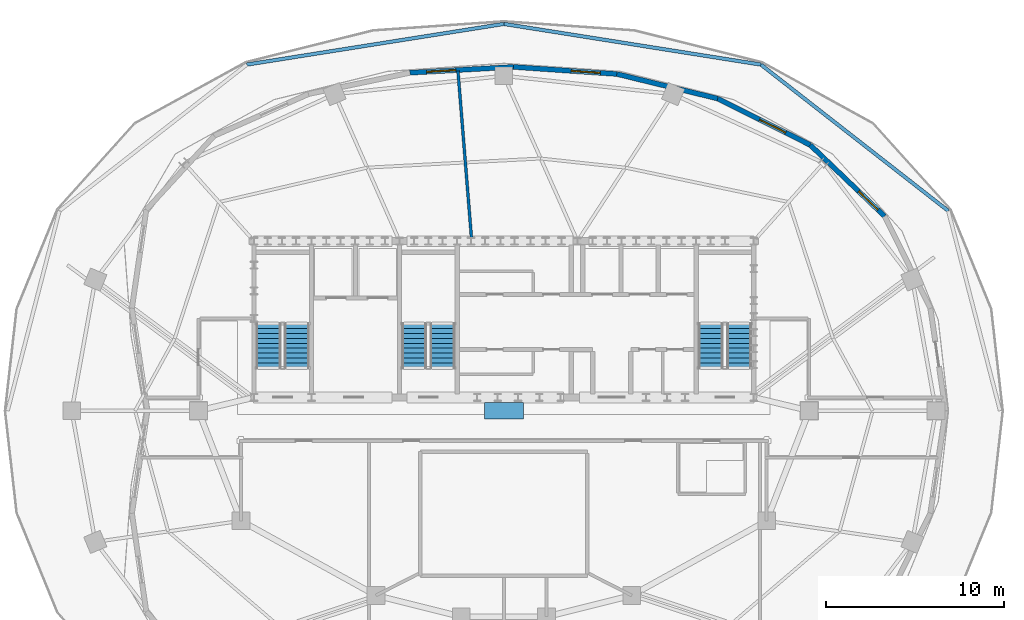
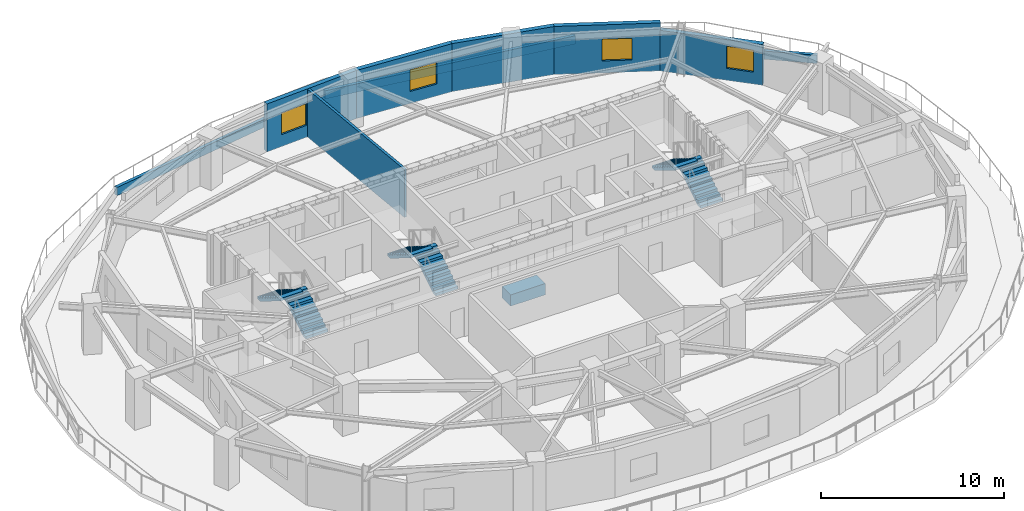
# One storey, part 6 of 10: 9 walls, 6 stair flights, 4 windows, 1 discrete accessory, 4 openings, 3 elements without a shape of their own.
"""IFC4 building model written with IfcOpenShell, lengths in metres."""

from ifc_helpers import new_model, si_unit, direction, frame, frame_2d, origin, origin_2d, place, context, subcontext, project, spatial, polyline, rectangle, outline, extrude, material, layer, layer_set, type_object, element, fill, aggregate, save


model = new_model("IFC4")

# Units and contexts
model_context = context("Model", 3, precision=1e-05, world=origin(), true_north=direction((0.0, 1.0)))
body_context = subcontext(model_context, "Body", "Model", "MODEL_VIEW")
ifc_project = project(units=[si_unit("LENGTHUNIT", "METRE"), si_unit("AREAUNIT", "SQUARE_METRE"), si_unit("VOLUMEUNIT", "CUBIC_METRE"), si_unit("PLANEANGLEUNIT", "RADIAN"), si_unit("MASSUNIT", "GRAM", prefix="KILO")], contexts=[model_context])

# Site, building, storey
site_placement = place(None, origin())
site = spatial("IfcSite", under=ifc_project, at=site_placement, CompositionType="ELEMENT")
building_placement = place(site_placement, origin())
building = spatial("IfcBuilding", under=site, at=building_placement, Name="Haldorwick Loom Tower", CompositionType="ELEMENT")
storey_placement = place(building_placement, frame((0.0, 0.0, 240.89990234375)))
storey = spatial("IfcBuildingStorey", under=building, at=storey_placement, Name="L65", CompositionType="ELEMENT", Elevation=240.89990234375)

# Wall, opening, window
ifc_material_1 = material(Name="Pressed Clay Face Brick and Insulated Masonry Backup Assembly", Category="masonry")
ifc_layer_1 = layer(ifc_material_1, 0.280029296875, Name="Pressed Clay Face Brick and Insulated Masonry Backup Assembly", Category="masonry")
ifc_layer_set_1 = layer_set([ifc_layer_1], Name="Pressed Clay Face Brick and Insulated Masonry Backup Assembly")
wall_type_1 = type_object("IfcWallType", Name="ARC-WL-EXT280", PredefinedType="STANDARD", material=ifc_layer_set_1)
wall_1_placement = place(storey_placement, frame((57.44287109375, 36.956787109375, 0.0), z_axis=(0.0, 0.0, 1.0), x_axis=(-0.722248481003, 0.691633668707, 0.0)))
wall_1 = element("IfcWall", 1, at=wall_1_placement, inside=storey, type_object=wall_type_1, Name="L65 Brick Pier and Spandrel Wall 3", PredefinedType="STANDARD", context=body_context, shape_type="SweptSolid", body=[
    extrude(rectangle(XDim=5.797607421875, YDim=0.280029296875, at=frame_2d((2.89892578125, 0.0))), origin(), (0.0, 0.0, 1.0), 2.718994140625),
])
opening_1_placement = place(wall_1_placement, frame((0.52099609375, 0.0, 0.800048828125)))
opening_1 = element("IfcOpeningElement", 2, at=opening_1_placement, cuts=wall_1, Name="Opening W-02", PredefinedType="OPENING", context=body_context, shape_type="SweptSolid", body=[
    extrude(rectangle(XDim=1.5, YDim=1.47998046875, at=frame_2d((0.75, 0.739990234375))), frame((0.0, 0.14990234375, 0.0), z_axis=(0.0, -1.0, 0.0), x_axis=(1.0, 0.0, 0.0)), (0.0, 0.0, 1.0), 0.300048828125),
])
ifc_material_2 = material(Name="Triple-Glazed Low-E Argon Insulated Glazing Unit", Category="glass")
window_type_1 = type_object("IfcWindowType", Name="ARC-WIN-W150", PartitioningType="SINGLE_PANEL", PredefinedType="WINDOW", material=ifc_material_2)
window_1_placement = place(opening_1_placement, origin())
window_1 = element("IfcWindow", 3, at=window_1_placement, inside=storey, type_object=window_type_1, Name="L65 Deep-Set Zone 7A Window 3", OverallHeight=1.47998046875, OverallWidth=1.5, PartitioningType="SINGLE_PANEL", PredefinedType="WINDOW", context=body_context, shape_type="SweptSolid", body=[
    extrude(rectangle(XDim=1.5, YDim=1.47998046875, at=frame_2d((0.75, 0.739990234375))), frame((0.0, 0.030029296875, 0.0), z_axis=(0.0, -1.0, 0.0), x_axis=(1.0, 0.0, 0.0)), (0.0, 0.0, 1.0), 0.06005859375),
])
fill(opening_1, window_1)

wall_2_placement = place(storey_placement, frame((53.255615234375, 40.966552734375, 0.0), z_axis=(0.0, 0.0, 1.0), x_axis=(-0.89383996776, 0.44838611936, 0.0)))
wall_2 = element("IfcWall", 4, at=wall_2_placement, inside=storey, type_object=wall_type_1, Name="L65 Brick Pier and Spandrel Wall 4", PredefinedType="STANDARD", context=body_context, shape_type="SweptSolid", body=[
    extrude(rectangle(XDim=5.828125, YDim=0.280029296875, at=frame_2d((2.9140625, 0.0))), origin(), (0.0, 0.0, 1.0), 3.210205078125),
])
opening_2_placement = place(wall_2_placement, frame((1.546142578125, 0.0, 0.800048828125)))
opening_2 = element("IfcOpeningElement", 5, at=opening_2_placement, cuts=wall_2, Name="Opening W-01B", PredefinedType="OPENING", context=body_context, shape_type="SweptSolid", body=[
    extrude(rectangle(XDim=1.64990234375, YDim=1.449951171875, at=frame_2d((0.824951171875, 0.72509765625))), frame((0.0, 0.14990234375, 0.0), z_axis=(0.0, -1.0, 0.0), x_axis=(1.0, 0.0, 0.0)), (0.0, 0.0, 1.0), 0.300048828125),
])
window_type_2 = type_object("IfcWindowType", Name="ARC-WIN-W165", PartitioningType="SINGLE_PANEL", PredefinedType="WINDOW", material=ifc_material_2)
window_2_placement = place(opening_2_placement, origin())
window_2 = element("IfcWindow", 6, at=window_2_placement, inside=storey, type_object=window_type_2, Name="L65 Deep-Set Zone 7A Window 4", OverallHeight=1.449951171875, OverallWidth=1.64990234375, PartitioningType="SINGLE_PANEL", PredefinedType="WINDOW", context=body_context, shape_type="SweptSolid", body=[
    extrude(rectangle(XDim=1.64990234375, YDim=1.449951171875, at=frame_2d((0.824951171875, 0.72509765625))), frame((0.0, 0.030029296875, 0.0), z_axis=(0.0, -1.0, 0.0), x_axis=(1.0, 0.0, 0.0)), (0.0, 0.0, 1.0), 0.06005859375),
])
fill(opening_2, window_2)

# Wall
wall_3_placement = place(storey_placement, frame((48.046142578125, 43.579833984375, 0.0), z_axis=(0.0, 0.0, 1.0), x_axis=(-0.971581740819, 0.236704290005, 0.0)))
element("IfcWall", 7, at=wall_3_placement, inside=storey, type_object=wall_type_1, Name="L65 Brick Pier and Spandrel Wall 5", PredefinedType="STANDARD", context=body_context, shape_type="SweptSolid", body=[
    extrude(rectangle(XDim=5.845947265625, YDim=0.280029296875, at=frame_2d((2.9228515625, 0.0))), origin(), (0.0, 0.0, 1.0), 3.210205078125),
])

# Wall, opening, window
wall_4_placement = place(storey_placement, frame((42.3662109375, 44.963623046875, 0.0), z_axis=(0.0, 0.0, 1.0), x_axis=(-0.997667556144, 0.068260145161, 0.0)))
wall_4 = element("IfcWall", 8, at=wall_4_placement, inside=storey, type_object=wall_type_1, Name="L65 Brick Pier and Spandrel Wall 6", PredefinedType="STANDARD", context=body_context, shape_type="SweptSolid", body=[
    extrude(rectangle(XDim=5.84423828125, YDim=0.280029296875, at=frame_2d((2.922119140625, 0.0))), origin(), (0.0, 0.0, 1.0), 3.210205078125),
])
opening_3_placement = place(wall_4_placement, frame((0.92822265625, 0.0, 0.800048828125)))
opening_3 = element("IfcOpeningElement", 9, at=opening_3_placement, cuts=wall_4, Name="Opening W-01B", PredefinedType="OPENING", context=body_context, shape_type="SweptSolid", body=[
    extrude(rectangle(XDim=1.64990234375, YDim=1.449951171875, at=frame_2d((0.824951171875, 0.72509765625))), frame((0.0, 0.14990234375, 0.0), z_axis=(0.0, -1.0, 0.0), x_axis=(1.0, 0.0, 0.0)), (0.0, 0.0, 1.0), 0.300048828125),
])
window_3_placement = place(opening_3_placement, origin())
window_3 = element("IfcWindow", 10, at=window_3_placement, inside=storey, type_object=window_type_2, Name="L65 Deep-Set Zone 7A Window 6", OverallHeight=1.449951171875, OverallWidth=1.64990234375, PartitioningType="SINGLE_PANEL", PredefinedType="WINDOW", context=body_context, shape_type="SweptSolid", body=[
    extrude(rectangle(XDim=1.64990234375, YDim=1.449951171875, at=frame_2d((0.824951171875, 0.72509765625))), frame((0.0, 0.030029296875, 0.0), z_axis=(0.0, -1.0, 0.0), x_axis=(1.0, 0.0, 0.0)), (0.0, 0.0, 1.0), 0.06005859375),
])
fill(opening_3, window_3)

wall_5_placement = place(storey_placement, frame((36.53564453125, 45.362548828125, 0.0), z_axis=(0.0, 0.0, 1.0), x_axis=(-0.998436201135, -0.055903061306, 0.0)))
wall_5 = element("IfcWall", 11, at=wall_5_placement, inside=storey, type_object=wall_type_1, Name="L65 Brick Pier and Spandrel Wall 7", PredefinedType="STANDARD", context=body_context, shape_type="SweptSolid", body=[
    extrude(rectangle(XDim=5.8388671875, YDim=0.280029296875, at=frame_2d((2.91943359375, 0.0))), origin(), (0.0, 0.0, 1.0), 3.210205078125),
])
opening_4_placement = place(wall_5_placement, frame((3.243896484375, 0.0, 0.800048828125)))
opening_4 = element("IfcOpeningElement", 12, at=opening_4_placement, cuts=wall_5, Name="Opening W-01B", PredefinedType="OPENING", context=body_context, shape_type="SweptSolid", body=[
    extrude(rectangle(XDim=1.64990234375, YDim=1.449951171875, at=frame_2d((0.824951171875, 0.72509765625))), frame((0.0, 0.14990234375, 0.0), z_axis=(0.0, -1.0, 0.0), x_axis=(1.0, 0.0, 0.0)), (0.0, 0.0, 1.0), 0.300048828125),
])
window_4_placement = place(opening_4_placement, origin())
window_4 = element("IfcWindow", 13, at=window_4_placement, inside=storey, type_object=window_type_2, Name="L65 Deep-Set Zone 7A Window 7", OverallHeight=1.449951171875, OverallWidth=1.64990234375, PartitioningType="SINGLE_PANEL", PredefinedType="WINDOW", context=body_context, shape_type="SweptSolid", body=[
    extrude(rectangle(XDim=1.64990234375, YDim=1.449951171875, at=frame_2d((0.824951171875, 0.72509765625))), frame((0.0, 0.030029296875, 0.0), z_axis=(0.0, -1.0, 0.0), x_axis=(1.0, 0.0, 0.0)), (0.0, 0.0, 1.0), 0.06005859375),
])
fill(opening_4, window_4)

# Walls
ifc_material_3 = material(Name="Fire-Rated Type X Gypsum Stud Assembly EI 60")
ifc_layer_2 = layer(ifc_material_3, 0.159912109375, Name="Fire-Rated Type X Gypsum Stud Assembly EI 60")
ifc_layer_set_2 = layer_set([ifc_layer_2], Name="Fire-Rated Type X Gypsum Stud Assembly EI 60")
wall_type_2 = type_object("IfcWallType", Name="ARC-WL-FIRE160", PredefinedType="PARTITIONING", material=ifc_layer_set_2)
wall_6_placement = place(storey_placement, frame((34.175537109375, 35.7529296875, 0.0), z_axis=(0.0, 0.0, 1.0), x_axis=(-0.080649559764, 0.996742518663, 0.0)))
element("IfcWall", 14, at=wall_6_placement, inside=storey, type_object=wall_type_2, Name="L65 Residential Fire Partition L65-UPN-C3", PredefinedType="PARTITIONING", context=body_context, shape_type="SweptSolid", body=[
    extrude(rectangle(XDim=9.420654296875, YDim=0.159912109375, at=frame_2d((4.71044921875, 0.0))), origin(), (0.0, 0.0, 1.0), 3.195068359375),
])
ifc_layer_3 = layer(ifc_material_1, 0.199951171875, Name="Pressed Clay Face Brick and Insulated Masonry Backup Assembly", Category="masonry")
ifc_layer_set_3 = layer_set([ifc_layer_3], Name="Pressed Clay Face Brick and Insulated Masonry Backup Assembly")
wall_type_3 = type_object("IfcWallType", Name="ARC-WL-PARAPET200", PredefinedType="PARAPET", material=ifc_layer_set_3)
wall_7_placement = place(storey_placement, frame((21.52294921875, 45.493408203125, 0.0), z_axis=(0.0, 0.0, 1.0), x_axis=(0.987708613664, 0.1563064122, 0.0)))
element("IfcWall", 15, at=wall_7_placement, inside=storey, type_object=wall_type_3, Name="L65 Terrace Masonry Parapet 3", PredefinedType="PARAPET", context=body_context, shape_type="SweptSolid", body=[
    extrude(rectangle(XDim=14.6572265625, YDim=0.199951171875, at=frame_2d((7.32861328125, 0.0))), origin(), (0.0, 0.0, 1.0), 0.550048828125),
])
wall_8_placement = place(storey_placement, frame((36.0, 47.784423828125, 0.0), z_axis=(0.0, 0.0, 1.0), x_axis=(0.987707263004, -0.156314946852, 0.0)))
element("IfcWall", 16, at=wall_8_placement, inside=storey, type_object=wall_type_3, Name="L65 Terrace Masonry Parapet 4", PredefinedType="PARAPET", context=body_context, shape_type="SweptSolid", body=[
    extrude(rectangle(XDim=14.657958984375, YDim=0.199951171875, at=frame_2d((7.3291015625, 0.0))), origin(), (0.0, 0.0, 1.0), 0.550048828125),
])
wall_9_placement = place(storey_placement, frame((50.477783203125, 45.4931640625, 0.0), z_axis=(0.0, 0.0, 1.0), x_axis=(0.788141612794, -0.615493946503, 0.0)))
element("IfcWall", 17, at=wall_9_placement, inside=storey, type_object=wall_type_3, Name="L65 Terrace Masonry Parapet 5", PredefinedType="PARAPET", context=body_context, shape_type="SweptSolid", body=[
    extrude(rectangle(XDim=13.384521484375, YDim=0.199951171875, at=frame_2d((6.6923828125, 0.0))), origin(), (0.0, 0.0, 1.0), 0.550048828125),
])

# Stair, stair flights
ifc_material_4 = material(Name="Concrete C40 (40 MPa)", Category="concrete")
stair_type = type_object("IfcStairType", Name="STR-STR-CORE", PredefinedType="HALF_TURN_STAIR", material=ifc_material_4)
stair_1_placement = place(storey_placement, origin())
stair_1 = element("IfcStair", 18, at=stair_1_placement, inside=storey, type_object=stair_type, Name="L65 Exit Stair ST-01", PredefinedType="HALF_TURN_STAIR")
stair_flight_type = type_object("IfcStairFlightType", Name="STR-STF-1250", PredefinedType="STRAIGHT", material=ifc_material_4)
stair_flight_1_placement = place(storey_placement, frame((24.35009765625, 28.39990234375, 0.0), z_axis=(0.0, 0.0, 1.0), x_axis=(0.0, 1.0, 0.0)))
stair_flight_1 = element("IfcStairFlight", 19, at=stair_flight_1_placement, type_object=stair_flight_type, Name="ST-01 flight 1", NumberOfRisers=10, NumberOfTreads=9, PredefinedType="STRAIGHT", RiserHeight=0.1725, TreadLength=0.28, context=body_context, shape_type="SweptSolid", body=[
    extrude(outline(polyline([(0.0, 0.0), (0.0, 0.172607421875), (0.280029296875, 0.172607421875), (0.280029296875, 0.344970703125), (0.56005859375, 0.344970703125), (0.56005859375, 0.517578125), (0.840087890625, 0.517578125), (0.840087890625, 0.68994140625), (1.1201171875, 0.68994140625), (1.1201171875, 0.862548828125), (1.39990234375, 0.862548828125), (1.39990234375, 1.034912109375), (1.679931640625, 1.034912109375), (1.679931640625, 1.20751953125), (1.9599609375, 1.20751953125), (1.9599609375, 1.3798828125), (2.239990234375, 1.3798828125), (2.239990234375, 1.552490234375), (2.52001953125, 1.552490234375), (2.52001953125, 1.72509765625), (2.52001953125, 1.37646484375), (0.285888671875, 0.0), (0.0, 0.0)])), frame((0.0, 0.699951171875, 0.0), z_axis=(0.0, -1.0, 0.0), x_axis=(1.0, 0.0, 0.0)), (0.0, 0.0, 1.0), 1.39990234375),
])
stair_flight_2_placement = place(storey_placement, frame((22.75, 30.919921875, 1.72509765625), z_axis=(0.0, 0.0, 1.0), x_axis=(0.0, -1.0, 0.0)))
stair_flight_2 = element("IfcStairFlight", 20, at=stair_flight_2_placement, type_object=stair_flight_type, Name="ST-01 flight 2", NumberOfRisers=10, NumberOfTreads=9, PredefinedType="STRAIGHT", RiserHeight=0.1725, TreadLength=0.28, context=body_context, shape_type="SweptSolid", body=[
    extrude(outline(polyline([(0.0, 0.0), (0.0, 0.172607421875), (0.280029296875, 0.172607421875), (0.280029296875, 0.344970703125), (0.56005859375, 0.344970703125), (0.56005859375, 0.517578125), (0.840087890625, 0.517578125), (0.840087890625, 0.68994140625), (1.1201171875, 0.68994140625), (1.1201171875, 0.862548828125), (1.39990234375, 0.862548828125), (1.39990234375, 1.034912109375), (1.679931640625, 1.034912109375), (1.679931640625, 1.20751953125), (1.9599609375, 1.20751953125), (1.9599609375, 1.3798828125), (2.239990234375, 1.3798828125), (2.239990234375, 1.552490234375), (2.52001953125, 1.552490234375), (2.52001953125, 1.72509765625), (2.52001953125, 1.37646484375), (0.285888671875, 0.0), (0.0, 0.0)])), frame((0.0, 0.699951171875, 0.0), z_axis=(0.0, -1.0, 0.0), x_axis=(1.0, 0.0, 0.0)), (0.0, 0.0, 1.0), 1.39990234375),
])
aggregate(stair_1, [stair_flight_1, stair_flight_2])

stair_2_placement = place(storey_placement, origin())
stair_2 = element("IfcStair", 21, at=stair_2_placement, inside=storey, type_object=stair_type, Name="L65 Exit Stair ST-02", PredefinedType="HALF_TURN_STAIR")
stair_flight_3_placement = place(storey_placement, frame((49.25, 28.39990234375, 0.0), z_axis=(0.0, 0.0, 1.0), x_axis=(0.0, 1.0, 0.0)))
stair_flight_3 = element("IfcStairFlight", 22, at=stair_flight_3_placement, type_object=stair_flight_type, Name="ST-02 flight 1", NumberOfRisers=10, NumberOfTreads=9, PredefinedType="STRAIGHT", RiserHeight=0.1725, TreadLength=0.28, context=body_context, shape_type="SweptSolid", body=[
    extrude(outline(polyline([(0.0, 0.0), (0.0, 0.172607421875), (0.280029296875, 0.172607421875), (0.280029296875, 0.344970703125), (0.56005859375, 0.344970703125), (0.56005859375, 0.517578125), (0.840087890625, 0.517578125), (0.840087890625, 0.68994140625), (1.1201171875, 0.68994140625), (1.1201171875, 0.862548828125), (1.39990234375, 0.862548828125), (1.39990234375, 1.034912109375), (1.679931640625, 1.034912109375), (1.679931640625, 1.20751953125), (1.9599609375, 1.20751953125), (1.9599609375, 1.3798828125), (2.239990234375, 1.3798828125), (2.239990234375, 1.552490234375), (2.52001953125, 1.552490234375), (2.52001953125, 1.72509765625), (2.52001953125, 1.37646484375), (0.285888671875, 0.0), (0.0, 0.0)])), frame((0.0, 0.699951171875, 0.0), z_axis=(0.0, -1.0, 0.0), x_axis=(1.0, 0.0, 0.0)), (0.0, 0.0, 1.0), 1.39990234375),
])
stair_flight_4_placement = place(storey_placement, frame((47.64990234375, 30.919921875, 1.72509765625), z_axis=(0.0, 0.0, 1.0), x_axis=(0.0, -1.0, 0.0)))
stair_flight_4 = element("IfcStairFlight", 23, at=stair_flight_4_placement, type_object=stair_flight_type, Name="ST-02 flight 2", NumberOfRisers=10, NumberOfTreads=9, PredefinedType="STRAIGHT", RiserHeight=0.1725, TreadLength=0.28, context=body_context, shape_type="SweptSolid", body=[
    extrude(outline(polyline([(0.0, 0.0), (0.0, 0.172607421875), (0.280029296875, 0.172607421875), (0.280029296875, 0.344970703125), (0.56005859375, 0.344970703125), (0.56005859375, 0.517578125), (0.840087890625, 0.517578125), (0.840087890625, 0.68994140625), (1.1201171875, 0.68994140625), (1.1201171875, 0.862548828125), (1.39990234375, 0.862548828125), (1.39990234375, 1.034912109375), (1.679931640625, 1.034912109375), (1.679931640625, 1.20751953125), (1.9599609375, 1.20751953125), (1.9599609375, 1.3798828125), (2.239990234375, 1.3798828125), (2.239990234375, 1.552490234375), (2.52001953125, 1.552490234375), (2.52001953125, 1.72509765625), (2.52001953125, 1.37646484375), (0.285888671875, 0.0), (0.0, 0.0)])), frame((0.0, 0.699951171875, 0.0), z_axis=(0.0, -1.0, 0.0), x_axis=(1.0, 0.0, 0.0)), (0.0, 0.0, 1.0), 1.39990234375),
])
aggregate(stair_2, [stair_flight_3, stair_flight_4])

stair_3_placement = place(storey_placement, origin())
stair_3 = element("IfcStair", 24, at=stair_3_placement, inside=storey, type_object=stair_type, Name="L65 Exit Stair ST-03", PredefinedType="HALF_TURN_STAIR")
stair_flight_5_placement = place(storey_placement, frame((32.550048828125, 28.39990234375, 0.0), z_axis=(0.0, 0.0, 1.0), x_axis=(0.0, 1.0, 0.0)))
stair_flight_5 = element("IfcStairFlight", 25, at=stair_flight_5_placement, type_object=stair_flight_type, Name="ST-03 flight 1", NumberOfRisers=10, NumberOfTreads=9, PredefinedType="STRAIGHT", RiserHeight=0.1725, TreadLength=0.28, context=body_context, shape_type="SweptSolid", body=[
    extrude(outline(polyline([(0.0, 0.0), (0.0, 0.172607421875), (0.280029296875, 0.172607421875), (0.280029296875, 0.344970703125), (0.56005859375, 0.344970703125), (0.56005859375, 0.517578125), (0.840087890625, 0.517578125), (0.840087890625, 0.68994140625), (1.1201171875, 0.68994140625), (1.1201171875, 0.862548828125), (1.39990234375, 0.862548828125), (1.39990234375, 1.034912109375), (1.679931640625, 1.034912109375), (1.679931640625, 1.20751953125), (1.9599609375, 1.20751953125), (1.9599609375, 1.3798828125), (2.239990234375, 1.3798828125), (2.239990234375, 1.552490234375), (2.52001953125, 1.552490234375), (2.52001953125, 1.72509765625), (2.52001953125, 1.37646484375), (0.285888671875, 0.0), (0.0, 0.0)])), frame((0.0, 0.699951171875, 0.0), z_axis=(0.0, -1.0, 0.0), x_axis=(1.0, 0.0, 0.0)), (0.0, 0.0, 1.0), 1.39990234375),
])
stair_flight_6_placement = place(storey_placement, frame((30.949951171875, 30.919921875, 1.72509765625), z_axis=(0.0, 0.0, 1.0), x_axis=(0.0, -1.0, 0.0)))
stair_flight_6 = element("IfcStairFlight", 26, at=stair_flight_6_placement, type_object=stair_flight_type, Name="ST-03 flight 2", NumberOfRisers=10, NumberOfTreads=9, PredefinedType="STRAIGHT", RiserHeight=0.1725, TreadLength=0.28, context=body_context, shape_type="SweptSolid", body=[
    extrude(outline(polyline([(0.0, 0.0), (0.0, 0.172607421875), (0.280029296875, 0.172607421875), (0.280029296875, 0.344970703125), (0.56005859375, 0.344970703125), (0.56005859375, 0.517578125), (0.840087890625, 0.517578125), (0.840087890625, 0.68994140625), (1.1201171875, 0.68994140625), (1.1201171875, 0.862548828125), (1.39990234375, 0.862548828125), (1.39990234375, 1.034912109375), (1.679931640625, 1.034912109375), (1.679931640625, 1.20751953125), (1.9599609375, 1.20751953125), (1.9599609375, 1.3798828125), (2.239990234375, 1.3798828125), (2.239990234375, 1.552490234375), (2.52001953125, 1.552490234375), (2.52001953125, 1.72509765625), (2.52001953125, 1.37646484375), (0.285888671875, 0.0), (0.0, 0.0)])), frame((0.0, 0.699951171875, 0.0), z_axis=(0.0, -1.0, 0.0), x_axis=(1.0, 0.0, 0.0)), (0.0, 0.0, 1.0), 1.39990234375),
])
aggregate(stair_3, [stair_flight_5, stair_flight_6])

# Discrete accessory
ifc_material_5 = material(Name="Architectural Precast Concrete C40 (40 MPa)", Category="concrete")
discrete_accessory_type = type_object("IfcDiscreteAccessoryType", Name="ARC-ACC-PLANTER", PredefinedType="USERDEFINED", material=ifc_material_5)
discrete_accessory_placement = place(storey_placement, frame((36.0, 26.001220703125, 0.0), z_axis=(0.0, 0.0, 1.0), x_axis=(1.0, 0.0, 0.0)))
element("IfcDiscreteAccessory", 27, at=discrete_accessory_placement, inside=storey, type_object=discrete_accessory_type, Name="L65 Setback Terrace Planter", ObjectType="PLANTER", PredefinedType="USERDEFINED", context=body_context, shape_type="SweptSolid", body=[
    extrude(rectangle(XDim=2.199951171875, YDim=0.949951171875, at=origin_2d()), origin(), (0.0, 0.0, 1.0), 0.75),
])

save(model, "model.ifc")
